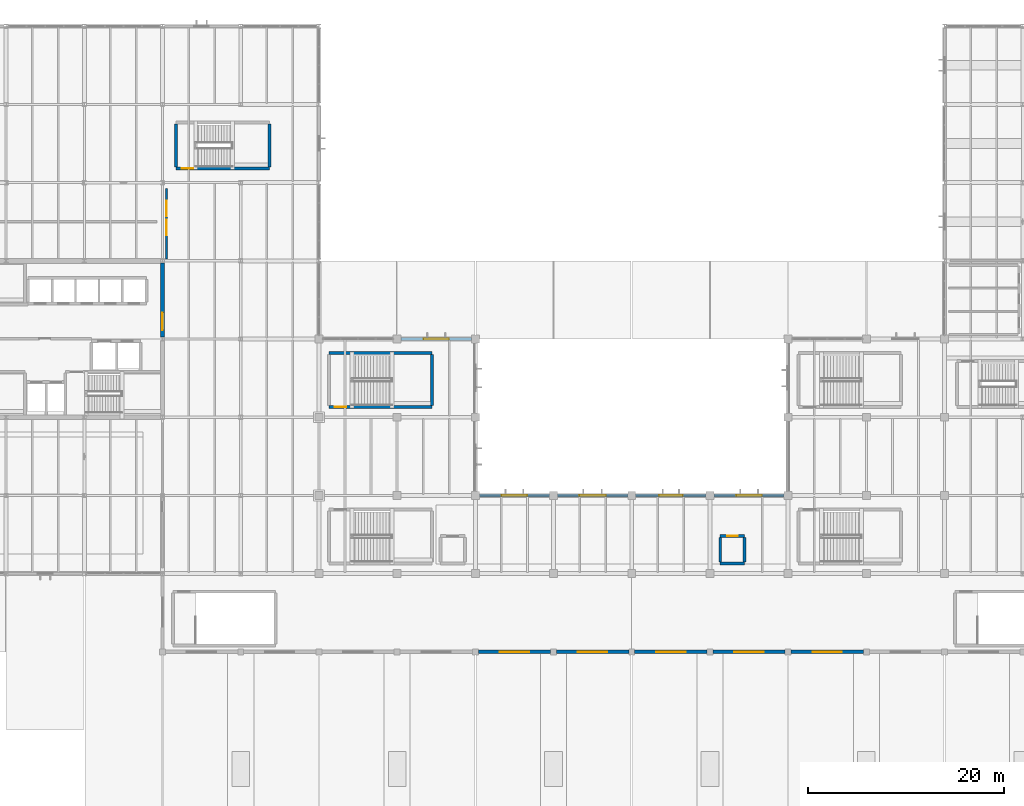
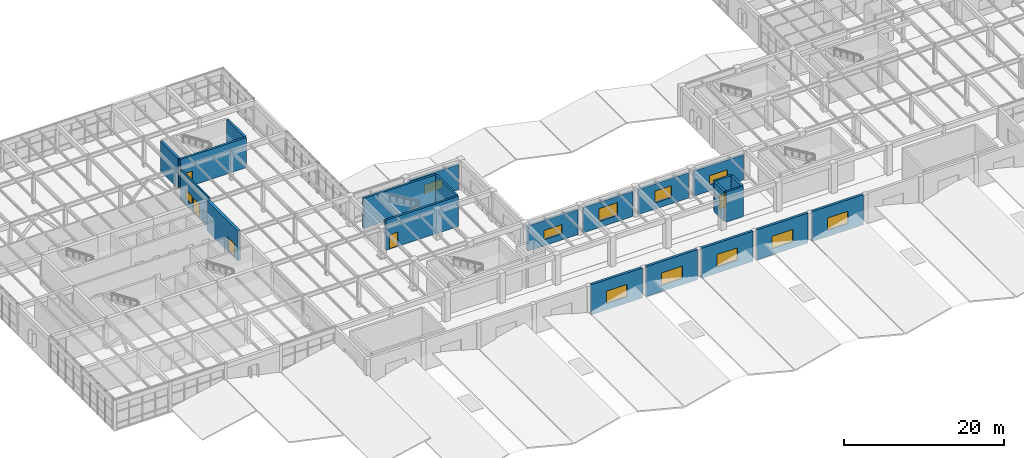
# One storey, part 44 of 60: 22 walls, 11 windows, 5 doors, 16 openings.
"""IFC4 building model written with IfcOpenShell, lengths in metres."""

from ifc_helpers import new_model, si_unit, direction, frame, frame_2d, origin, place, context, subcontext, project, spatial, rectangle, extrude, material, layer, layer_set, type_object, element, fill, save


model = new_model("IFC4")

# Units and contexts
model_context = context("Model", 3, precision=1e-05, world=origin(), true_north=direction((0.0, 1.0)))
body_context = subcontext(model_context, "Body", "Model", "MODEL_VIEW")
ifc_project = project(units=[si_unit("LENGTHUNIT", "METRE"), si_unit("AREAUNIT", "SQUARE_METRE"), si_unit("VOLUMEUNIT", "CUBIC_METRE"), si_unit("PLANEANGLEUNIT", "RADIAN"), si_unit("MASSUNIT", "GRAM", prefix="KILO")], contexts=[model_context])

# Site, building, storey
site_placement = place(None, origin())
site = spatial("IfcSite", under=ifc_project, at=site_placement, CompositionType="ELEMENT")
building_placement = place(site_placement, origin())
building = spatial("IfcBuilding", under=site, at=building_placement, Name="Varnela Railside Interchange", CompositionType="ELEMENT")
storey_placement = place(building_placement, frame((0.0, 0.0, 6.300048828125)))
storey = spatial("IfcBuildingStorey", under=building, at=storey_placement, Name="L01", CompositionType="ELEMENT", Elevation=6.300048828125)

# Wall, opening, window
ifc_material_1 = material(Name="Concrete C40 precast", Category="concrete")
ifc_layer_1 = layer(ifc_material_1, 0.320068359375)
ifc_layer_set_1 = layer_set([ifc_layer_1], Name="Concrete C40 precast")
wall_type_1 = type_object("IfcWallType", Name="Board-Formed Concrete Facade Wall EW-01", PredefinedType="STANDARD", material=ifc_layer_set_1)
wall_1_placement = place(storey_placement, frame((60.39990234375, 62.0, 0.0), z_axis=(0.0, 0.0, 1.0), x_axis=(1.0, 0.0, 0.0)))
wall_1 = element("IfcWall", 1, at=wall_1_placement, inside=storey, type_object=wall_type_1, Name="Board-Formed Concrete Facade Wall EW-01 (L01) (WL-0514)", PredefinedType="STANDARD", context=body_context, shape_type="SweptSolid", body=[
    extrude(rectangle(XDim=7.2001953125, YDim=0.320068359375, at=frame_2d((3.60009765625, 0.0))), origin(), (0.0, 0.0, 1.0), 3.849853515625),
])
opening_1_placement = place(wall_1_placement, frame((2.300048828125, 0.0, 0.949951171875)))
opening_1 = element("IfcOpeningElement", 2, at=opening_1_placement, cuts=wall_1, Name="Opening W-027", PredefinedType="OPENING", context=body_context, shape_type="SweptSolid", body=[
    extrude(rectangle(XDim=2.60009765625, YDim=1.39990234375, at=frame_2d((1.300048828125, 0.699951171875))), frame((0.0, 0.169921875, 0.0), z_axis=(0.0, -1.0, 0.0), x_axis=(1.0, 0.0, 0.0)), (0.0, 0.0, 1.0), 0.340087890625),
])
ifc_material_2 = material(Name="Glass laminated double", Category="glass")
window_type_1 = type_object("IfcWindowType", Name="Gallery Clerestory Strip WN-10", PartitioningType="SINGLE_PANEL", PredefinedType="WINDOW", material=ifc_material_2)
window_1_placement = place(opening_1_placement, origin())
window_1 = element("IfcWindow", 3, at=window_1_placement, inside=storey, type_object=window_type_1, Name="Window W-027", OverallHeight=1.39990234375, OverallWidth=2.60009765625, PartitioningType="SINGLE_PANEL", PredefinedType="WINDOW", context=body_context, shape_type="SweptSolid", body=[
    extrude(rectangle(XDim=2.60009765625, YDim=1.39990234375, at=frame_2d((1.300048828125, 0.699951171875))), frame((0.0, 0.030029296875, 0.0), z_axis=(0.0, -1.0, 0.0), x_axis=(1.0, 0.0, 0.0)), (0.0, 0.0, 1.0), 0.06005859375),
])
fill(opening_1, window_1)

wall_2_placement = place(storey_placement, frame((68.39990234375, 46.0, 0.0), z_axis=(0.0, 0.0, 1.0), x_axis=(1.0, 0.0, 0.0)))
wall_2 = element("IfcWall", 4, at=wall_2_placement, inside=storey, type_object=wall_type_1, Name="Board-Formed Concrete Facade Wall EW-01 (L01) (WL-0517)", PredefinedType="STANDARD", context=body_context, shape_type="SweptSolid", body=[
    extrude(rectangle(XDim=7.2001953125, YDim=0.320068359375, at=frame_2d((3.60009765625, 0.0))), origin(), (0.0, 0.0, 1.0), 3.849853515625),
])
opening_2_placement = place(wall_2_placement, frame((2.300048828125, 0.0, 0.949951171875)))
opening_2 = element("IfcOpeningElement", 5, at=opening_2_placement, cuts=wall_2, Name="Opening W-030", PredefinedType="OPENING", context=body_context, shape_type="SweptSolid", body=[
    extrude(rectangle(XDim=2.60009765625, YDim=1.39990234375, at=frame_2d((1.300048828125, 0.699951171875))), frame((0.0, 0.169921875, 0.0), z_axis=(0.0, -1.0, 0.0), x_axis=(1.0, 0.0, 0.0)), (0.0, 0.0, 1.0), 0.340087890625),
])
window_2_placement = place(opening_2_placement, origin())
window_2 = element("IfcWindow", 6, at=window_2_placement, inside=storey, type_object=window_type_1, Name="Window W-030", OverallHeight=1.39990234375, OverallWidth=2.60009765625, PartitioningType="SINGLE_PANEL", PredefinedType="WINDOW", context=body_context, shape_type="SweptSolid", body=[
    extrude(rectangle(XDim=2.60009765625, YDim=1.39990234375, at=frame_2d((1.300048828125, 0.699951171875))), frame((0.0, 0.030029296875, 0.0), z_axis=(0.0, -1.0, 0.0), x_axis=(1.0, 0.0, 0.0)), (0.0, 0.0, 1.0), 0.06005859375),
])
fill(opening_2, window_2)

wall_3_placement = place(storey_placement, frame((76.39990234375, 46.0, 0.0), z_axis=(0.0, 0.0, 1.0), x_axis=(1.0, 0.0, 0.0)))
wall_3 = element("IfcWall", 7, at=wall_3_placement, inside=storey, type_object=wall_type_1, Name="Board-Formed Concrete Facade Wall EW-01 (L01) (WL-0518)", PredefinedType="STANDARD", context=body_context, shape_type="SweptSolid", body=[
    extrude(rectangle(XDim=7.2001953125, YDim=0.320068359375, at=frame_2d((3.60009765625, 0.0))), origin(), (0.0, 0.0, 1.0), 3.849853515625),
])
opening_3_placement = place(wall_3_placement, frame((2.25, 0.0, 0.949951171875)))
opening_3 = element("IfcOpeningElement", 8, at=opening_3_placement, cuts=wall_3, Name="Opening W-031", PredefinedType="OPENING", context=body_context, shape_type="SweptSolid", body=[
    extrude(rectangle(XDim=2.699951171875, YDim=1.949951171875, at=frame_2d((1.35009765625, 0.97509765625))), frame((0.0, 0.169921875, 0.0), z_axis=(0.0, -1.0, 0.0), x_axis=(1.0, 0.0, 0.0)), (0.0, 0.0, 1.0), 0.340087890625),
])
window_type_2 = type_object("IfcWindowType", Name="Sign-On Hall Wide Window WN-19", PartitioningType="SINGLE_PANEL", PredefinedType="WINDOW", material=ifc_material_2)
window_3_placement = place(opening_3_placement, origin())
window_3 = element("IfcWindow", 9, at=window_3_placement, inside=storey, type_object=window_type_2, Name="Window W-031", OverallHeight=1.949951171875, OverallWidth=2.699951171875, PartitioningType="SINGLE_PANEL", PredefinedType="WINDOW", context=body_context, shape_type="SweptSolid", body=[
    extrude(rectangle(XDim=2.699951171875, YDim=1.949951171875, at=frame_2d((1.35009765625, 0.97509765625))), frame((0.0, 0.030029296875, 0.0), z_axis=(0.0, -1.0, 0.0), x_axis=(1.0, 0.0, 0.0)), (0.0, 0.0, 1.0), 0.06005859375),
])
fill(opening_3, window_3)

wall_4_placement = place(storey_placement, frame((84.39990234375, 46.0, 0.0), z_axis=(0.0, 0.0, 1.0), x_axis=(1.0, 0.0, 0.0)))
wall_4 = element("IfcWall", 10, at=wall_4_placement, inside=storey, type_object=wall_type_1, Name="Board-Formed Concrete Facade Wall EW-01 (L01) (WL-0519)", PredefinedType="STANDARD", context=body_context, shape_type="SweptSolid", body=[
    extrude(rectangle(XDim=7.2001953125, YDim=0.320068359375, at=frame_2d((3.60009765625, 0.0))), origin(), (0.0, 0.0, 1.0), 3.849853515625),
])
opening_4_placement = place(wall_4_placement, frame((2.39990234375, 0.0, 0.949951171875)))
opening_4 = element("IfcOpeningElement", 11, at=opening_4_placement, cuts=wall_4, Name="Opening W-032", PredefinedType="OPENING", context=body_context, shape_type="SweptSolid", body=[
    extrude(rectangle(XDim=2.39990234375, YDim=1.800048828125, at=frame_2d((1.199951171875, 0.89990234375))), frame((0.0, 0.169921875, 0.0), z_axis=(0.0, -1.0, 0.0), x_axis=(1.0, 0.0, 0.0)), (0.0, 0.0, 1.0), 0.340087890625),
])
window_type_3 = type_object("IfcWindowType", Name="Concourse Clerestory Window WN-01", PartitioningType="SINGLE_PANEL", PredefinedType="WINDOW", material=ifc_material_2)
window_4_placement = place(opening_4_placement, origin())
window_4 = element("IfcWindow", 12, at=window_4_placement, inside=storey, type_object=window_type_3, Name="Window W-032", OverallHeight=1.800048828125, OverallWidth=2.39990234375, PartitioningType="SINGLE_PANEL", PredefinedType="WINDOW", context=body_context, shape_type="SweptSolid", body=[
    extrude(rectangle(XDim=2.39990234375, YDim=1.800048828125, at=frame_2d((1.199951171875, 0.89990234375))), frame((0.0, 0.030029296875, 0.0), z_axis=(0.0, -1.0, 0.0), x_axis=(1.0, 0.0, 0.0)), (0.0, 0.0, 1.0), 0.06005859375),
])
fill(opening_4, window_4)

wall_5_placement = place(storey_placement, frame((92.39990234375, 46.0, 0.0), z_axis=(0.0, 0.0, 1.0), x_axis=(1.0, 0.0, 0.0)))
wall_5 = element("IfcWall", 13, at=wall_5_placement, inside=storey, type_object=wall_type_1, Name="Board-Formed Concrete Facade Wall EW-01 (L01) (WL-0520)", PredefinedType="STANDARD", context=body_context, shape_type="SweptSolid", body=[
    extrude(rectangle(XDim=7.2001953125, YDim=0.320068359375, at=frame_2d((3.60009765625, 0.0))), origin(), (0.0, 0.0, 1.0), 3.849853515625),
])
opening_5_placement = place(wall_5_placement, frame((2.300048828125, 0.0, 0.949951171875)))
opening_5 = element("IfcOpeningElement", 14, at=opening_5_placement, cuts=wall_5, Name="Opening W-033", PredefinedType="OPENING", context=body_context, shape_type="SweptSolid", body=[
    extrude(rectangle(XDim=2.60009765625, YDim=1.39990234375, at=frame_2d((1.300048828125, 0.699951171875))), frame((0.0, 0.169921875, 0.0), z_axis=(0.0, -1.0, 0.0), x_axis=(1.0, 0.0, 0.0)), (0.0, 0.0, 1.0), 0.340087890625),
])
window_5_placement = place(opening_5_placement, origin())
window_5 = element("IfcWindow", 15, at=window_5_placement, inside=storey, type_object=window_type_1, Name="Window W-033", OverallHeight=1.39990234375, OverallWidth=2.60009765625, PartitioningType="SINGLE_PANEL", PredefinedType="WINDOW", context=body_context, shape_type="SweptSolid", body=[
    extrude(rectangle(XDim=2.60009765625, YDim=1.39990234375, at=frame_2d((1.300048828125, 0.699951171875))), frame((0.0, 0.030029296875, 0.0), z_axis=(0.0, -1.0, 0.0), x_axis=(1.0, 0.0, 0.0)), (0.0, 0.0, 1.0), 0.06005859375),
])
fill(opening_5, window_5)

ifc_layer_2 = layer(ifc_material_1, 0.35009765625)
ifc_layer_set_2 = layer_set([ifc_layer_2], Name="Concrete C40 precast")
wall_type_2 = type_object("IfcWallType", Name="Bus Deck Acoustic Concrete Wall EW-04", PredefinedType="STANDARD", material=ifc_layer_set_2)
wall_6_placement = place(storey_placement, frame((107.699951171875, 30.0, 0.0), z_axis=(0.0, 0.0, 1.0), x_axis=(-1.0, 0.0, 0.0)))
wall_6 = element("IfcWall", 16, at=wall_6_placement, inside=storey, type_object=wall_type_2, Name="Bus Deck Acoustic Concrete Wall EW-04 (L01) (WL-0539)", PredefinedType="STANDARD", context=body_context, shape_type="SweptSolid", body=[
    extrude(rectangle(XDim=7.39990234375, YDim=0.35009765625, at=frame_2d((3.699951171875, 0.0))), origin(), (0.0, 0.0, 1.0), 4.599853515625),
])
opening_6_placement = place(wall_6_placement, frame((2.199951171875, 0.0, 0.949951171875)))
opening_6 = element("IfcOpeningElement", 17, at=opening_6_placement, cuts=wall_6, Name="Opening W-050", PredefinedType="OPENING", context=body_context, shape_type="SweptSolid", body=[
    extrude(rectangle(XDim=3.0, YDim=1.89990234375, at=frame_2d((1.5, 0.949951171875))), frame((0.0, 0.18505859375, 0.0), z_axis=(0.0, -1.0, 0.0), x_axis=(1.0, 0.0, 0.0)), (0.0, 0.0, 1.0), 0.3701171875),
])
window_type_4 = type_object("IfcWindowType", Name="Bus Overlook Picture Window WN-07", PartitioningType="SINGLE_PANEL", PredefinedType="WINDOW", material=ifc_material_2)
window_6_placement = place(opening_6_placement, origin())
window_6 = element("IfcWindow", 18, at=window_6_placement, inside=storey, type_object=window_type_4, Name="Window W-050", OverallHeight=1.89990234375, OverallWidth=3.0, PartitioningType="SINGLE_PANEL", PredefinedType="WINDOW", context=body_context, shape_type="SweptSolid", body=[
    extrude(rectangle(XDim=3.0, YDim=1.89990234375, at=frame_2d((1.5, 0.949951171875))), frame((0.0, 0.030029296875, 0.0), z_axis=(0.0, -1.0, 0.0), x_axis=(1.0, 0.0, 0.0)), (0.0, 0.0, 1.0), 0.06005859375),
])
fill(opening_6, window_6)

wall_7_placement = place(storey_placement, frame((99.699951171875, 30.0, 0.0), z_axis=(0.0, 0.0, 1.0), x_axis=(-1.0, 0.0, 0.0)))
wall_7 = element("IfcWall", 19, at=wall_7_placement, inside=storey, type_object=wall_type_2, Name="Bus Deck Acoustic Concrete Wall EW-04 (L01) (WL-0540)", PredefinedType="STANDARD", context=body_context, shape_type="SweptSolid", body=[
    extrude(rectangle(XDim=7.39990234375, YDim=0.35009765625, at=frame_2d((3.699951171875, 0.0))), origin(), (0.0, 0.0, 1.0), 4.599853515625),
])
opening_7_placement = place(wall_7_placement, frame((2.199951171875, 0.0, 0.949951171875)))
opening_7 = element("IfcOpeningElement", 20, at=opening_7_placement, cuts=wall_7, Name="Opening W-051", PredefinedType="OPENING", context=body_context, shape_type="SweptSolid", body=[
    extrude(rectangle(XDim=3.0, YDim=1.89990234375, at=frame_2d((1.5, 0.949951171875))), frame((0.0, 0.18505859375, 0.0), z_axis=(0.0, -1.0, 0.0), x_axis=(1.0, 0.0, 0.0)), (0.0, 0.0, 1.0), 0.3701171875),
])
window_7_placement = place(opening_7_placement, origin())
window_7 = element("IfcWindow", 21, at=window_7_placement, inside=storey, type_object=window_type_4, Name="Window W-051", OverallHeight=1.89990234375, OverallWidth=3.0, PartitioningType="SINGLE_PANEL", PredefinedType="WINDOW", context=body_context, shape_type="SweptSolid", body=[
    extrude(rectangle(XDim=3.0, YDim=1.89990234375, at=frame_2d((1.5, 0.949951171875))), frame((0.0, 0.030029296875, 0.0), z_axis=(0.0, -1.0, 0.0), x_axis=(1.0, 0.0, 0.0)), (0.0, 0.0, 1.0), 0.06005859375),
])
fill(opening_7, window_7)

wall_8_placement = place(storey_placement, frame((91.699951171875, 30.0, 0.0), z_axis=(0.0, 0.0, 1.0), x_axis=(-1.0, 0.0, 0.0)))
wall_8 = element("IfcWall", 22, at=wall_8_placement, inside=storey, type_object=wall_type_2, Name="Bus Deck Acoustic Concrete Wall EW-04 (L01) (WL-0541)", PredefinedType="STANDARD", context=body_context, shape_type="SweptSolid", body=[
    extrude(rectangle(XDim=7.39990234375, YDim=0.35009765625, at=frame_2d((3.699951171875, 0.0))), origin(), (0.0, 0.0, 1.0), 4.599853515625),
])
opening_8_placement = place(wall_8_placement, frame((2.199951171875, 0.0, 0.949951171875)))
opening_8 = element("IfcOpeningElement", 23, at=opening_8_placement, cuts=wall_8, Name="Opening W-052", PredefinedType="OPENING", context=body_context, shape_type="SweptSolid", body=[
    extrude(rectangle(XDim=3.0, YDim=1.89990234375, at=frame_2d((1.5, 0.949951171875))), frame((0.0, 0.18505859375, 0.0), z_axis=(0.0, -1.0, 0.0), x_axis=(1.0, 0.0, 0.0)), (0.0, 0.0, 1.0), 0.3701171875),
])
window_8_placement = place(opening_8_placement, origin())
window_8 = element("IfcWindow", 24, at=window_8_placement, inside=storey, type_object=window_type_4, Name="Window W-052", OverallHeight=1.89990234375, OverallWidth=3.0, PartitioningType="SINGLE_PANEL", PredefinedType="WINDOW", context=body_context, shape_type="SweptSolid", body=[
    extrude(rectangle(XDim=3.0, YDim=1.89990234375, at=frame_2d((1.5, 0.949951171875))), frame((0.0, 0.030029296875, 0.0), z_axis=(0.0, -1.0, 0.0), x_axis=(1.0, 0.0, 0.0)), (0.0, 0.0, 1.0), 0.06005859375),
])
fill(opening_8, window_8)

wall_9_placement = place(storey_placement, frame((83.699951171875, 30.0, 0.0), z_axis=(0.0, 0.0, 1.0), x_axis=(-1.0, 0.0, 0.0)))
wall_9 = element("IfcWall", 25, at=wall_9_placement, inside=storey, type_object=wall_type_2, Name="Bus Deck Acoustic Concrete Wall EW-04 (L01) (WL-0542)", PredefinedType="STANDARD", context=body_context, shape_type="SweptSolid", body=[
    extrude(rectangle(XDim=7.39990234375, YDim=0.35009765625, at=frame_2d((3.699951171875, 0.0))), origin(), (0.0, 0.0, 1.0), 4.599853515625),
])
opening_9_placement = place(wall_9_placement, frame((2.199951171875, 0.0, 0.949951171875)))
opening_9 = element("IfcOpeningElement", 26, at=opening_9_placement, cuts=wall_9, Name="Opening W-053", PredefinedType="OPENING", context=body_context, shape_type="SweptSolid", body=[
    extrude(rectangle(XDim=3.0, YDim=1.89990234375, at=frame_2d((1.5, 0.949951171875))), frame((0.0, 0.18505859375, 0.0), z_axis=(0.0, -1.0, 0.0), x_axis=(1.0, 0.0, 0.0)), (0.0, 0.0, 1.0), 0.3701171875),
])
window_9_placement = place(opening_9_placement, origin())
window_9 = element("IfcWindow", 27, at=window_9_placement, inside=storey, type_object=window_type_4, Name="Window W-053", OverallHeight=1.89990234375, OverallWidth=3.0, PartitioningType="SINGLE_PANEL", PredefinedType="WINDOW", context=body_context, shape_type="SweptSolid", body=[
    extrude(rectangle(XDim=3.0, YDim=1.89990234375, at=frame_2d((1.5, 0.949951171875))), frame((0.0, 0.030029296875, 0.0), z_axis=(0.0, -1.0, 0.0), x_axis=(1.0, 0.0, 0.0)), (0.0, 0.0, 1.0), 0.06005859375),
])
fill(opening_9, window_9)

wall_10_placement = place(storey_placement, frame((75.699951171875, 30.0, 0.0), z_axis=(0.0, 0.0, 1.0), x_axis=(-1.0, 0.0, 0.0)))
wall_10 = element("IfcWall", 28, at=wall_10_placement, inside=storey, type_object=wall_type_2, Name="Bus Deck Acoustic Concrete Wall EW-04 (L01) (WL-0543)", PredefinedType="STANDARD", context=body_context, shape_type="SweptSolid", body=[
    extrude(rectangle(XDim=7.39990234375, YDim=0.35009765625, at=frame_2d((3.699951171875, 0.0))), origin(), (0.0, 0.0, 1.0), 4.599853515625),
])
opening_10_placement = place(wall_10_placement, frame((2.199951171875, 0.0, 0.949951171875)))
opening_10 = element("IfcOpeningElement", 29, at=opening_10_placement, cuts=wall_10, Name="Opening W-054", PredefinedType="OPENING", context=body_context, shape_type="SweptSolid", body=[
    extrude(rectangle(XDim=3.0, YDim=1.89990234375, at=frame_2d((1.5, 0.949951171875))), frame((0.0, 0.18505859375, 0.0), z_axis=(0.0, -1.0, 0.0), x_axis=(1.0, 0.0, 0.0)), (0.0, 0.0, 1.0), 0.3701171875),
])
window_10_placement = place(opening_10_placement, origin())
window_10 = element("IfcWindow", 30, at=window_10_placement, inside=storey, type_object=window_type_4, Name="Window W-054", OverallHeight=1.89990234375, OverallWidth=3.0, PartitioningType="SINGLE_PANEL", PredefinedType="WINDOW", context=body_context, shape_type="SweptSolid", body=[
    extrude(rectangle(XDim=3.0, YDim=1.89990234375, at=frame_2d((1.5, 0.949951171875))), frame((0.0, 0.030029296875, 0.0), z_axis=(0.0, -1.0, 0.0), x_axis=(1.0, 0.0, 0.0)), (0.0, 0.0, 1.0), 0.06005859375),
])
fill(opening_10, window_10)

# Wall, opening, door
ifc_material_3 = material(Name="Concrete C50", Category="concrete")
ifc_layer_3 = layer(ifc_material_3, 0.39990234375)
ifc_layer_set_3 = layer_set([ifc_layer_3], Name="Concrete C50")
wall_type_3 = type_object("IfcWallType", Name="Core Coupling Shear Wall SW-02", PredefinedType="SHEAR", material=ifc_layer_set_3)
wall_11_placement = place(storey_placement, frame((36.0, 62.199462890625, 0.0), z_axis=(0.0, 0.0, 1.0), x_axis=(0.0, 1.0, 0.0)))
wall_11 = element("IfcWall", 31, at=wall_11_placement, inside=storey, type_object=wall_type_3, Name="Core Coupling Shear Wall SW-02 (L01) (WL-0482)", PredefinedType="SHEAR", context=body_context, shape_type="SweptSolid", body=[
    extrude(rectangle(XDim=7.60107421875, YDim=0.39990234375, at=frame_2d((3.800537109375, 0.0))), origin(), (0.0, 0.0, 1.0), 4.599853515625),
])
opening_11_placement = place(wall_11_placement, frame((0.699951171875, 0.0, 0.0)))
opening_11 = element("IfcOpeningElement", 32, at=opening_11_placement, cuts=wall_11, Name="Opening D-186", PredefinedType="OPENING", context=body_context, shape_type="SweptSolid", body=[
    extrude(rectangle(XDim=1.800048828125, YDim=2.199951171875, at=frame_2d((0.89990234375, 1.10009765625))), frame((0.0, 0.2099609375, 0.0), z_axis=(0.0, -1.0, 0.0), x_axis=(1.0, 0.0, 0.0)), (0.0, 0.0, 1.0), 0.419921875),
])
ifc_material_4 = material(Name="Steel AR 350 (350 MPa)", Category="steel")
door_type_1 = type_object("IfcDoorType", Name="DR-DBL-1800-FD60", OperationType="DOUBLE_DOOR_SINGLE_SWING", PredefinedType="DOOR", material=ifc_material_4)
door_1_placement = place(opening_11_placement, origin())
door_1 = element("IfcDoor", 33, at=door_1_placement, inside=storey, type_object=door_type_1, Name="Door D-186", OperationType="DOUBLE_DOOR_SINGLE_SWING", OverallHeight=2.199951171875, OverallWidth=1.800048828125, PredefinedType="DOOR", context=body_context, shape_type="SweptSolid", body=[
    extrude(rectangle(XDim=1.800048828125, YDim=2.199951171875, at=frame_2d((0.89990234375, 1.10009765625))), frame((0.0, 0.02490234375, 0.0), z_axis=(0.0, -1.0, 0.0), x_axis=(1.0, 0.0, 0.0)), (0.0, 0.0, 1.0), 0.050048828125),
])
fill(opening_11, door_1)

# Wall, openings, door, window
ifc_material_5 = material(Name="Gypsum acoustic board")
ifc_layer_4 = layer(ifc_material_5, 0.179931640625)
ifc_layer_set_4 = layer_set([ifc_layer_4], Name="Gypsum acoustic board")
wall_type_4 = type_object("IfcWallType", Name="Double-Stud Corridor Wall IW-02", PredefinedType="PARTITIONING", material=ifc_layer_set_4)
wall_12_placement = place(storey_placement, frame((36.39990234375, 70.199951171875, 0.0), z_axis=(0.0, 0.0, 1.0), x_axis=(0.0, 1.0, 0.0)))
wall_12 = element("IfcWall", 34, at=wall_12_placement, inside=storey, type_object=wall_type_4, Name="Double-Stud Corridor Wall IW-02 (L01) (WL-0552)", PredefinedType="PARTITIONING", context=body_context, shape_type="SweptSolid", body=[
    extrude(rectangle(XDim=7.199951171875, YDim=0.179931640625, at=frame_2d((3.60009765625, 0.0))), origin(), (0.0, 0.0, 1.0), 4.599853515625),
])
opening_12_placement = place(wall_12_placement, frame((2.39990234375, 0.0, 0.0)))
opening_12 = element("IfcOpeningElement", 35, at=opening_12_placement, cuts=wall_12, Name="Opening D-208", PredefinedType="OPENING", context=body_context, shape_type="SweptSolid", body=[
    extrude(rectangle(XDim=1.60009765625, YDim=2.199951171875, at=frame_2d((0.800048828125, 1.10009765625))), frame((0.0, 0.099853515625, 0.0), z_axis=(0.0, -1.0, 0.0), x_axis=(1.0, 0.0, 0.0)), (0.0, 0.0, 1.0), 0.199951171875),
])
opening_13_placement = place(wall_12_placement, frame((4.35009765625, 0.0, 0.949951171875)))
opening_13 = element("IfcOpeningElement", 36, at=opening_13_placement, cuts=wall_12, Name="Opening IW-010", PredefinedType="OPENING", context=body_context, shape_type="SweptSolid", body=[
    extrude(rectangle(XDim=1.60009765625, YDim=1.300048828125, at=frame_2d((0.800048828125, 0.64990234375))), frame((0.0, 0.099853515625, 0.0), z_axis=(0.0, -1.0, 0.0), x_axis=(1.0, 0.0, 0.0)), (0.0, 0.0, 1.0), 0.199951171875),
])
door_type_2 = type_object("IfcDoorType", Name="DR-DBL-1600", OperationType="DOUBLE_DOOR_SINGLE_SWING", PredefinedType="DOOR", material=ifc_material_2)
door_2_placement = place(opening_12_placement, origin())
door_2 = element("IfcDoor", 37, at=door_2_placement, inside=storey, type_object=door_type_2, Name="Door D-208", OperationType="DOUBLE_DOOR_SINGLE_SWING", OverallHeight=2.199951171875, OverallWidth=1.60009765625, PredefinedType="DOOR", context=body_context, shape_type="SweptSolid", body=[
    extrude(rectangle(XDim=1.60009765625, YDim=2.199951171875, at=frame_2d((0.800048828125, 1.10009765625))), frame((0.0, 0.02490234375, 0.0), z_axis=(0.0, -1.0, 0.0), x_axis=(1.0, 0.0, 0.0)), (0.0, 0.0, 1.0), 0.050048828125),
])
fill(opening_12, door_2)
window_type_5 = type_object("IfcWindowType", Name="Interior Acoustic Vision Window IW-WN1", PartitioningType="SINGLE_PANEL", PredefinedType="WINDOW", material=ifc_material_2)
window_11_placement = place(opening_13_placement, origin())
window_11 = element("IfcWindow", 38, at=window_11_placement, inside=storey, type_object=window_type_5, Name="Window IW-010", OverallHeight=1.300048828125, OverallWidth=1.60009765625, PartitioningType="SINGLE_PANEL", PredefinedType="WINDOW", context=body_context, shape_type="SweptSolid", body=[
    extrude(rectangle(XDim=1.60009765625, YDim=1.300048828125, at=frame_2d((0.800048828125, 0.64990234375))), frame((0.0, 0.030029296875, 0.0), z_axis=(0.0, -1.0, 0.0), x_axis=(1.0, 0.0, 0.0)), (0.0, 0.0, 1.0), 0.06005859375),
])
fill(opening_13, window_11)

# Wall
ifc_layer_5 = layer(ifc_material_3, 0.300048828125)
ifc_layer_set_5 = layer_set([ifc_layer_5], Name="Concrete C50")
wall_type_5 = type_object("IfcWallType", Name="Stair & Lift Shaft Wall SW-03", PredefinedType="SHEAR", material=ifc_layer_set_5)
wall_13_placement = place(storey_placement, frame((53.050048828125, 60.550048828125, 0.0), z_axis=(0.0, 0.0, 1.0), x_axis=(1.0, 0.0, 0.0)))
element("IfcWall", 39, at=wall_13_placement, inside=storey, type_object=wall_type_5, Name="Stair & Lift Shaft Wall SW-03 (L01) (WL-0594)", PredefinedType="SHEAR", context=body_context, shape_type="SweptSolid", body=[
    extrude(rectangle(XDim=10.5, YDim=0.300048828125, at=frame_2d((5.25, 0.0))), origin(), (0.0, 0.0, 1.0), 4.599853515625),
])

# Wall, opening, door
wall_14_placement = place(storey_placement, frame((53.050048828125, 55.050048828125, 0.0), z_axis=(0.0, 0.0, 1.0), x_axis=(1.0, 0.0, 0.0)))
wall_14 = element("IfcWall", 40, at=wall_14_placement, inside=storey, type_object=wall_type_5, Name="Stair & Lift Shaft Wall SW-03 (L01) (WL-0595)", PredefinedType="SHEAR", context=body_context, shape_type="SweptSolid", body=[
    extrude(rectangle(XDim=10.5, YDim=0.300048828125, at=frame_2d((5.25, 0.0))), origin(), (0.0, 0.0, 1.0), 4.599853515625),
])
opening_14_placement = place(wall_14_placement, frame((0.550048828125, 0.0, 0.0)))
opening_14 = element("IfcOpeningElement", 41, at=opening_14_placement, cuts=wall_14, Name="Opening D-192", PredefinedType="OPENING", context=body_context, shape_type="SweptSolid", body=[
    extrude(rectangle(XDim=1.199951171875, YDim=2.199951171875, at=frame_2d((0.60009765625, 1.10009765625))), frame((0.0, 0.159912109375, 0.0), z_axis=(0.0, -1.0, 0.0), x_axis=(1.0, 0.0, 0.0)), (0.0, 0.0, 1.0), 0.320068359375),
])
door_type_3 = type_object("IfcDoorType", Name="DR-SGL-1200-FD90", OperationType="NOTDEFINED", PredefinedType="DOOR", material=ifc_material_4)
door_3_placement = place(opening_14_placement, origin())
door_3 = element("IfcDoor", 42, at=door_3_placement, inside=storey, type_object=door_type_3, Name="Door D-192", OperationType="SINGLE_SWING_RIGHT", OverallHeight=2.199951171875, OverallWidth=1.199951171875, PredefinedType="DOOR", context=body_context, shape_type="SweptSolid", body=[
    extrude(rectangle(XDim=1.199951171875, YDim=2.199951171875, at=frame_2d((0.60009765625, 1.10009765625))), frame((0.0, 0.02490234375, 0.0), z_axis=(0.0, -1.0, 0.0), x_axis=(1.0, 0.0, 0.0)), (0.0, 0.0, 1.0), 0.050048828125),
])
fill(opening_14, door_3)

# Wall
wall_15_placement = place(storey_placement, frame((63.550048828125, 55.199951171875, 0.0), z_axis=(0.0, 0.0, 1.0), x_axis=(0.0, 1.0, 0.0)))
element("IfcWall", 43, at=wall_15_placement, inside=storey, type_object=wall_type_5, Name="Stair & Lift Shaft Wall SW-03 (L01) (WL-0593)", PredefinedType="SHEAR", context=body_context, shape_type="SweptSolid", body=[
    extrude(rectangle(XDim=5.199951171875, YDim=0.300048828125, at=frame_2d((2.60009765625, 0.0))), origin(), (0.0, 0.0, 1.0), 4.599853515625),
])

# Wall, opening, door
wall_16_placement = place(storey_placement, frame((37.39990234375, 79.449951171875, 0.0), z_axis=(0.0, 0.0, 1.0), x_axis=(1.0, 0.0, 0.0)))
wall_16 = element("IfcWall", 44, at=wall_16_placement, inside=storey, type_object=wall_type_5, Name="Stair & Lift Shaft Wall SW-03 (L01) (WL-0623)", PredefinedType="SHEAR", context=body_context, shape_type="SweptSolid", body=[
    extrude(rectangle(XDim=9.550048828125, YDim=0.300048828125, at=frame_2d((4.77490234375, 0.0))), origin(), (0.0, 0.0, 1.0), 4.599853515625),
])
opening_15_placement = place(wall_16_placement, frame((0.550048828125, 0.0, 0.0)))
opening_15 = element("IfcOpeningElement", 45, at=opening_15_placement, cuts=wall_16, Name="Opening D-196", PredefinedType="OPENING", context=body_context, shape_type="SweptSolid", body=[
    extrude(rectangle(XDim=1.199951171875, YDim=2.199951171875, at=frame_2d((0.60009765625, 1.10009765625))), frame((0.0, 0.159912109375, 0.0), z_axis=(0.0, -1.0, 0.0), x_axis=(1.0, 0.0, 0.0)), (0.0, 0.0, 1.0), 0.320068359375),
])
door_4_placement = place(opening_15_placement, origin())
door_4 = element("IfcDoor", 46, at=door_4_placement, inside=storey, type_object=door_type_3, Name="Door D-196", OperationType="SINGLE_SWING_RIGHT", OverallHeight=2.199951171875, OverallWidth=1.199951171875, PredefinedType="DOOR", context=body_context, shape_type="SweptSolid", body=[
    extrude(rectangle(XDim=1.199951171875, YDim=2.199951171875, at=frame_2d((0.60009765625, 1.10009765625))), frame((0.0, 0.02490234375, 0.0), z_axis=(0.0, -1.0, 0.0), x_axis=(1.0, 0.0, 0.0)), (0.0, 0.0, 1.0), 0.050048828125),
])
fill(opening_15, door_4)

# Walls
for number, where, z_axis, x_axis, name in (
    (47, (37.39990234375, 79.60009765625, 0.0), (0.0, 0.0, 1.0), (0.0, 1.0, 0.0), "Stair & Lift Shaft Wall SW-03 (L01) (WL-0624)"),
    (48, (46.949951171875, 79.60009765625, 0.0), (0.0, 0.0, 1.0), (0.0, 1.0, 0.0), "Stair & Lift Shaft Wall SW-03 (L01) (WL-0621)"),
):
    element("IfcWall", number, at=place(storey_placement, frame(where, z_axis=z_axis, x_axis=x_axis)), inside=storey, type_object=wall_type_5, Name=name, PredefinedType="SHEAR", context=body_context, shape_type="SweptSolid", body=[
        extrude(rectangle(XDim=4.39990234375, YDim=0.300048828125, at=frame_2d((2.199951171875, 0.0))), origin(), (0.0, 0.0, 1.0), 4.599853515625),
    ])

# Wall, opening, door
wall_17_placement = place(storey_placement, frame((93.050048828125, 41.85009765625, 0.0), z_axis=(0.0, 0.0, 1.0), x_axis=(1.0, 0.0, 0.0)))
wall_17 = element("IfcWall", 49, at=wall_17_placement, inside=storey, type_object=wall_type_5, Name="Stair & Lift Shaft Wall SW-03 (L01) (WL-0578)", PredefinedType="SHEAR", context=body_context, shape_type="SweptSolid", body=[
    extrude(rectangle(XDim=2.5, YDim=0.300048828125, at=frame_2d((1.25, 0.0))), origin(), (0.0, 0.0, 1.0), 4.599853515625),
])
opening_16_placement = place(wall_17_placement, frame((0.699951171875, 0.0, 0.0)))
opening_16 = element("IfcOpeningElement", 50, at=opening_16_placement, cuts=wall_17, Name="Opening LD-041", PredefinedType="OPENING", context=body_context, shape_type="SweptSolid", body=[
    extrude(rectangle(XDim=1.080078125, YDim=2.199951171875, at=frame_2d((0.5400390625, 1.10009765625))), frame((0.0, 0.159912109375, 0.0), z_axis=(0.0, -1.0, 0.0), x_axis=(1.0, 0.0, 0.0)), (0.0, 0.0, 1.0), 0.320068359375),
])
door_type_4 = type_object("IfcDoorType", Name="DR-LIFT-1080", OperationType="SLIDING_TO_LEFT", PredefinedType="DOOR", material=ifc_material_4)
door_5_placement = place(opening_16_placement, origin())
door_5 = element("IfcDoor", 51, at=door_5_placement, inside=storey, type_object=door_type_4, Name="Door LD-041", OperationType="SLIDING_TO_LEFT", OverallHeight=2.199951171875, OverallWidth=1.080078125, PredefinedType="DOOR", context=body_context, shape_type="SweptSolid", body=[
    extrude(rectangle(XDim=1.080078125, YDim=2.199951171875, at=frame_2d((0.5400390625, 1.10009765625))), frame((0.0, 0.02490234375, 0.0), z_axis=(0.0, -1.0, 0.0), x_axis=(1.0, 0.0, 0.0)), (0.0, 0.0, 1.0), 0.050048828125),
])
fill(opening_16, door_5)

# Walls
for number, where, z_axis, x_axis, name in (
    (52, (93.050048828125, 39.050048828125, 0.0), (0.0, 0.0, 1.0), (1.0, 0.0, 0.0), "Stair & Lift Shaft Wall SW-03 (L01) (WL-0579)"),
    (53, (93.050048828125, 39.199951171875, 0.0), (0.0, 0.0, 1.0), (0.0, 1.0, 0.0), "Stair & Lift Shaft Wall SW-03 (L01) (WL-0580)"),
    (54, (95.550048828125, 39.199951171875, 0.0), (0.0, 0.0, 1.0), (0.0, 1.0, 0.0), "Stair & Lift Shaft Wall SW-03 (L01) (WL-0577)"),
):
    element("IfcWall", number, at=place(storey_placement, frame(where, z_axis=z_axis, x_axis=x_axis)), inside=storey, type_object=wall_type_5, Name=name, PredefinedType="SHEAR", context=body_context, shape_type="SweptSolid", body=[
        extrude(rectangle(XDim=2.5, YDim=0.300048828125, at=frame_2d((1.25, 0.0))), origin(), (0.0, 0.0, 1.0), 4.599853515625),
    ])

save(model, "model.ifc")
